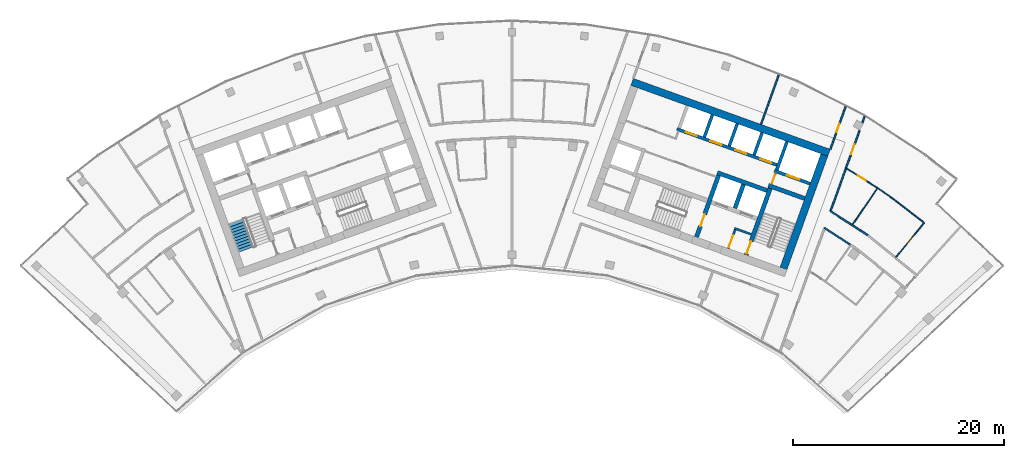
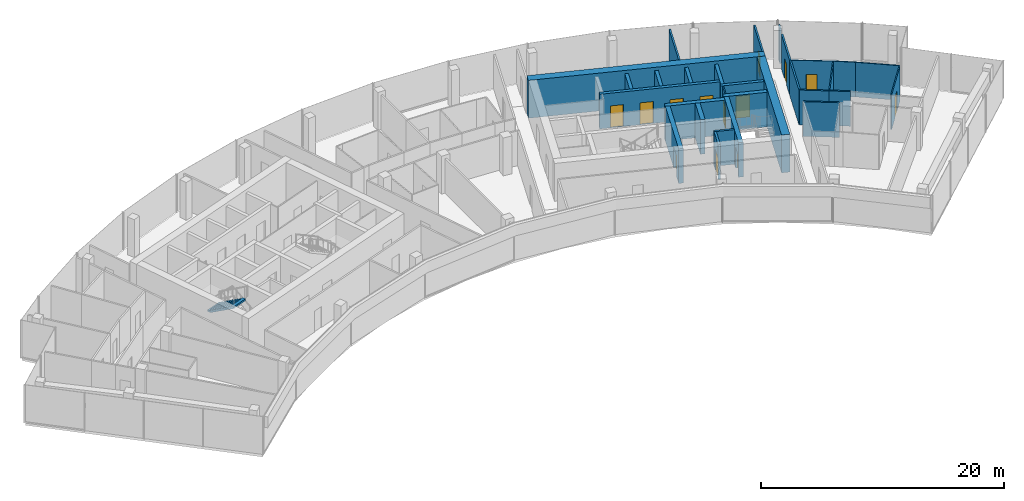
# One storey, part 16 of 18: 29 walls, 13 doors, 1 stair flight, 13 openings, 1 element without a shape of its own.
"""IFC4 building model written with IfcOpenShell, lengths in metres."""

from ifc_helpers import new_model, si_unit, direction, frame, frame_2d, origin, place, context, subcontext, project, spatial, polyline, rectangle, outline, extrude, material, layer, layer_set, type_object, element, fill, aggregate, save


model = new_model("IFC4")

# Units and contexts
model_context = context("Model", 3, precision=1e-05, world=origin(), true_north=direction((0.0, 1.0)))
body_context = subcontext(model_context, "Body", "Model", "MODEL_VIEW")
ifc_project = project(units=[si_unit("LENGTHUNIT", "METRE"), si_unit("AREAUNIT", "SQUARE_METRE"), si_unit("VOLUMEUNIT", "CUBIC_METRE"), si_unit("PLANEANGLEUNIT", "RADIAN"), si_unit("MASSUNIT", "GRAM", prefix="KILO")], contexts=[model_context])

# Site, building, storey
site_placement = place(None, origin())
site = spatial("IfcSite", under=ifc_project, at=site_placement, CompositionType="ELEMENT")
building_placement = place(site_placement, origin())
building = spatial("IfcBuilding", under=site, at=building_placement, Name="Stone Belt Terrace Tower", CompositionType="ELEMENT")
storey_placement = place(building_placement, frame((0.0, 0.0, 288.39990234375)))
storey = spatial("IfcBuildingStorey", under=building, at=storey_placement, Name="L70", CompositionType="ELEMENT", Elevation=288.39990234375)

# Wall, opening, door
ifc_material_1 = material(Name="Plasterboard partition")
ifc_layer_1 = layer(ifc_material_1, 0.10009765625)
ifc_layer_set_1 = layer_set([ifc_layer_1], Name="Core partition 100")
wall_type_1 = type_object("IfcWallType", Name="Core partition 100", PredefinedType="PARTITIONING", material=ifc_layer_set_1)
wall_1_placement = place(storey_placement, frame((24.555908203125, 51.10400390625, 0.0), z_axis=(0.0, 0.0, 1.0), x_axis=(0.338621735342, 0.94092258999, 0.0)))
wall_1 = element("IfcWall", 1, at=wall_1_placement, inside=storey, type_object=wall_type_1, Name="Core B wall", PredefinedType="PARTITIONING", context=body_context, shape_type="SweptSolid", body=[
    extrude(rectangle(XDim=1.14990234375, YDim=0.10009765625, at=frame_2d((0.574951171875, 0.0))), origin(), (0.0, 0.0, 1.0), 3.47998046875),
])
opening_1_placement = place(wall_1_placement, frame((0.050048828125, 0.0, 0.0)))
opening_1 = element("IfcOpeningElement", 2, at=opening_1_placement, cuts=wall_1, Name="Opening L70-C14", PredefinedType="OPENING", context=body_context, shape_type="SweptSolid", body=[
    extrude(rectangle(XDim=1.0, YDim=2.10009765625, at=frame_2d((0.5, 1.050048828125))), frame((0.0, 0.06005859375, 0.0), z_axis=(0.0, -1.0, 0.0), x_axis=(1.0, 0.0, 0.0)), (0.0, 0.0, 1.0), 0.1201171875),
])
ifc_material_2 = material(Name="Timber door leaf", Category="wood")
door_type_1 = type_object("IfcDoorType", Name="Core room door 1000", OperationType="SINGLE_SWING_LEFT", PredefinedType="DOOR", material=ifc_material_2)
door_1_placement = place(opening_1_placement, origin())
door_1 = element("IfcDoor", 3, at=door_1_placement, inside=storey, type_object=door_type_1, Name="Service lift lobby door core B", OperationType="SINGLE_SWING_LEFT", OverallHeight=2.10009765625, OverallWidth=1.0, PredefinedType="DOOR", context=body_context, shape_type="SweptSolid", body=[
    extrude(rectangle(XDim=1.0, YDim=2.10009765625, at=frame_2d((0.5, 1.050048828125))), frame((0.0, 0.02490234375, 0.0), z_axis=(0.0, -1.0, 0.0), x_axis=(1.0, 0.0, 0.0)), (0.0, 0.0, 1.0), 0.050048828125),
])
fill(opening_1, door_1)

# Walls
ifc_material_3 = material(Name="Concrete B60", Category="concrete")
ifc_layer_2 = layer(ifc_material_3, 0.699951171875)
ifc_layer_set_2 = layer_set([ifc_layer_2], Name="Core wall 700 B60")
wall_type_2 = type_object("IfcWallType", Name="Core wall 700 B60", PredefinedType="SHEAR", material=ifc_layer_set_2)
wall_2_placement = place(storey_placement, frame((11.35791015625, 60.795654296875, 0.0), z_axis=(0.0, 0.0, 1.0), x_axis=(0.940919787944, -0.33862952124, 0.0)))
element("IfcWall", 4, at=wall_2_placement, inside=storey, type_object=wall_type_2, Name="Core B wall convex L70", PredefinedType="SHEAR", context=body_context, shape_type="SweptSolid", body=[
    extrude(rectangle(XDim=19.7998046875, YDim=0.699951171875, at=frame_2d((9.89990234375, 0.0))), origin(), (0.0, 0.0, 1.0), 3.800048828125),
])
wall_3_placement = place(storey_placement, frame((25.679931640625, 43.153564453125, 0.0), z_axis=(0.0, 0.0, 1.0), x_axis=(0.338625431531, 0.940921259788, 0.0)))
element("IfcWall", 5, at=wall_3_placement, inside=storey, type_object=wall_type_2, Name="Core B wall end_b L70", PredefinedType="SHEAR", context=body_context, shape_type="SweptSolid", body=[
    extrude(rectangle(XDim=11.400146484375, YDim=0.699951171875, at=frame_2d((5.7001953125, 0.0))), origin(), (0.0, 0.0, 1.0), 3.800048828125),
])
ifc_material_4 = material(Name="Concrete B80", Category="concrete")
ifc_layer_3 = layer(ifc_material_4, 0.39990234375)
ifc_layer_set_3 = layer_set([ifc_layer_3], Name="Fire-fighting lift shaft wall 400")
wall_type_3 = type_object("IfcWallType", Name="Fire-fighting lift shaft wall 400", PredefinedType="SHEAR", material=ifc_layer_set_3)
wall_4_placement = place(storey_placement, frame((24.130615234375, 50.512939453125, 0.0), z_axis=(0.0, 0.0, 1.0), x_axis=(-0.94091168377, 0.338652038744, 0.0)))
element("IfcWall", 6, at=wall_4_placement, inside=storey, type_object=wall_type_3, Name="Core B wall", PredefinedType="SHEAR", context=body_context, shape_type="SweptSolid", body=[
    extrude(rectangle(XDim=5.000244140625, YDim=0.39990234375, at=frame_2d((2.5, 0.0))), origin(), (0.0, 0.0, 1.0), 3.47998046875),
])
wall_5_placement = place(storey_placement, frame((21.0859375, 48.845458984375, 0.0), z_axis=(0.0, 0.0, 1.0), x_axis=(0.338629416206, 0.940919825745, 0.0)))
element("IfcWall", 7, at=wall_5_placement, inside=storey, type_object=wall_type_3, Name="Core B wall", PredefinedType="SHEAR", context=body_context, shape_type="SweptSolid", body=[
    extrude(rectangle(XDim=2.400146484375, YDim=0.39990234375, at=frame_2d((1.2001953125, 0.0))), origin(), (0.0, 0.0, 1.0), 3.47998046875),
])

# Wall, opening, door
ifc_layer_4 = layer(ifc_material_4, 0.300048828125)
ifc_layer_set_4 = layer_set([ifc_layer_4], Name="Lift shaft wall 300")
wall_type_4 = type_object("IfcWallType", Name="Lift shaft wall 300", PredefinedType="SHEAR", material=ifc_layer_set_4)
wall_6_placement = place(storey_placement, frame((28.195068359375, 51.17578125, 0.0), z_axis=(0.0, 0.0, 1.0), x_axis=(-0.940901243567, 0.338681044427, 0.0)))
wall_6 = element("IfcWall", 8, at=wall_6_placement, inside=storey, type_object=wall_type_4, Name="Core B wall", PredefinedType="SHEAR", context=body_context, shape_type="SweptSolid", body=[
    extrude(rectangle(XDim=3.599853515625, YDim=0.300048828125, at=frame_2d((1.7998046875, 0.0))), origin(), (0.0, 0.0, 1.0), 3.47998046875),
])
opening_2_placement = place(wall_6_placement, frame((1.1201171875, 0.0, 0.0)))
opening_2 = element("IfcOpeningElement", 9, at=opening_2_placement, cuts=wall_6, Name="Opening L70-LD14", PredefinedType="OPENING", context=body_context, shape_type="SweptSolid", body=[
    extrude(rectangle(XDim=1.199951171875, YDim=2.199951171875, at=frame_2d((0.60009765625, 1.10009765625))), frame((0.0, 0.159912109375, 0.0), z_axis=(0.0, -1.0, 0.0), x_axis=(1.0, 0.0, 0.0)), (0.0, 0.0, 1.0), 0.320068359375),
])
ifc_material_5 = material(Name="Stainless steel door leaf", Category="steel")
door_type_2 = type_object("IfcDoorType", Name="Landing door 1200", OperationType="SLIDING_TO_LEFT", PredefinedType="DOOR", material=ifc_material_5)
door_2_placement = place(opening_2_placement, origin())
door_2 = element("IfcDoor", 10, at=door_2_placement, inside=storey, type_object=door_type_2, Name="Landing door SV1 core B", OperationType="SLIDING_TO_LEFT", OverallHeight=2.199951171875, OverallWidth=1.199951171875, PredefinedType="DOOR", context=body_context, shape_type="SweptSolid", body=[
    extrude(rectangle(XDim=1.199951171875, YDim=2.199951171875, at=frame_2d((0.60009765625, 1.10009765625))), frame((0.0, 0.02490234375, 0.0), z_axis=(0.0, -1.0, 0.0), x_axis=(1.0, 0.0, 0.0)), (0.0, 0.0, 1.0), 0.050048828125),
])
fill(opening_2, door_2)

# Wall
wall_7_placement = place(storey_placement, frame((25.046875, 52.46826171875, 0.0), z_axis=(0.0, 0.0, 1.0), x_axis=(0.338549588058, 0.940948551423, 0.0)))
element("IfcWall", 11, at=wall_7_placement, inside=storey, type_object=wall_type_4, Name="Core B wall", PredefinedType="SHEAR", context=body_context, shape_type="SweptSolid", body=[
    extrude(rectangle(XDim=2.849853515625, YDim=0.300048828125, at=frame_2d((1.4248046875, 0.0))), origin(), (0.0, 0.0, 1.0), 3.47998046875),
])

# Wall, openings, doors
wall_8_placement = place(storey_placement, frame((25.05810546875, 52.9423828125, 0.0), z_axis=(0.0, 0.0, 1.0), x_axis=(-0.940917446785, 0.338636026339, 0.0)))
wall_8 = element("IfcWall", 12, at=wall_8_placement, inside=storey, type_object=wall_type_4, Name="Core B wall", PredefinedType="SHEAR", context=body_context, shape_type="SweptSolid", body=[
    extrude(rectangle(XDim=10.050048828125, YDim=0.300048828125, at=frame_2d((5.02490234375, 0.0))), origin(), (0.0, 0.0, 1.0), 3.47998046875),
])
opening_3_placement = place(wall_8_placement, frame((0.570068359375, 0.0, 0.0)))
opening_3 = element("IfcOpeningElement", 13, at=opening_3_placement, cuts=wall_8, Name="Opening L70-LD08", PredefinedType="OPENING", context=body_context, shape_type="SweptSolid", body=[
    extrude(rectangle(XDim=1.10009765625, YDim=2.199951171875, at=frame_2d((0.550048828125, 1.10009765625))), frame((0.0, 0.159912109375, 0.0), z_axis=(0.0, -1.0, 0.0), x_axis=(1.0, 0.0, 0.0)), (0.0, 0.0, 1.0), 0.320068359375),
])
opening_4_placement = place(wall_8_placement, frame((3.070068359375, 0.0, 0.0)))
opening_4 = element("IfcOpeningElement", 14, at=opening_4_placement, cuts=wall_8, Name="Opening L70-LD09", PredefinedType="OPENING", context=body_context, shape_type="SweptSolid", body=[
    extrude(rectangle(XDim=1.10009765625, YDim=2.199951171875, at=frame_2d((0.550048828125, 1.10009765625))), frame((0.0, 0.159912109375, 0.0), z_axis=(0.0, -1.0, 0.0), x_axis=(1.0, 0.0, 0.0)), (0.0, 0.0, 1.0), 0.320068359375),
])
opening_5_placement = place(wall_8_placement, frame((5.570068359375, 0.0, 0.0)))
opening_5 = element("IfcOpeningElement", 15, at=opening_5_placement, cuts=wall_8, Name="Opening L70-LD10", PredefinedType="OPENING", context=body_context, shape_type="SweptSolid", body=[
    extrude(rectangle(XDim=1.10009765625, YDim=2.199951171875, at=frame_2d((0.550048828125, 1.10009765625))), frame((0.0, 0.159912109375, 0.0), z_axis=(0.0, -1.0, 0.0), x_axis=(1.0, 0.0, 0.0)), (0.0, 0.0, 1.0), 0.320068359375),
])
opening_6_placement = place(wall_8_placement, frame((8.070068359375, 0.0, 0.0)))
opening_6 = element("IfcOpeningElement", 16, at=opening_6_placement, cuts=wall_8, Name="Opening L70-LD11", PredefinedType="OPENING", context=body_context, shape_type="SweptSolid", body=[
    extrude(rectangle(XDim=1.10009765625, YDim=2.199951171875, at=frame_2d((0.550048828125, 1.10009765625))), frame((0.0, 0.159912109375, 0.0), z_axis=(0.0, -1.0, 0.0), x_axis=(1.0, 0.0, 0.0)), (0.0, 0.0, 1.0), 0.320068359375),
])
door_type_3 = type_object("IfcDoorType", Name="Landing door 1100", OperationType="SLIDING_TO_LEFT", PredefinedType="DOOR", material=ifc_material_5)
door_3_placement = place(opening_3_placement, origin())
door_3 = element("IfcDoor", 17, at=door_3_placement, inside=storey, type_object=door_type_3, Name="Landing door HR1 core B", OperationType="SLIDING_TO_LEFT", OverallHeight=2.199951171875, OverallWidth=1.10009765625, PredefinedType="DOOR", context=body_context, shape_type="SweptSolid", body=[
    extrude(rectangle(XDim=1.10009765625, YDim=2.199951171875, at=frame_2d((0.550048828125, 1.10009765625))), frame((0.0, 0.02490234375, 0.0), z_axis=(0.0, -1.0, 0.0), x_axis=(1.0, 0.0, 0.0)), (0.0, 0.0, 1.0), 0.050048828125),
])
fill(opening_3, door_3)
door_4_placement = place(opening_4_placement, origin())
door_4 = element("IfcDoor", 18, at=door_4_placement, inside=storey, type_object=door_type_3, Name="Landing door HR2 core B", OperationType="SLIDING_TO_LEFT", OverallHeight=2.199951171875, OverallWidth=1.10009765625, PredefinedType="DOOR", context=body_context, shape_type="SweptSolid", body=[
    extrude(rectangle(XDim=1.10009765625, YDim=2.199951171875, at=frame_2d((0.550048828125, 1.10009765625))), frame((0.0, 0.02490234375, 0.0), z_axis=(0.0, -1.0, 0.0), x_axis=(1.0, 0.0, 0.0)), (0.0, 0.0, 1.0), 0.050048828125),
])
fill(opening_4, door_4)
door_5_placement = place(opening_5_placement, origin())
door_5 = element("IfcDoor", 19, at=door_5_placement, inside=storey, type_object=door_type_3, Name="Landing door HR3 core B", OperationType="SLIDING_TO_LEFT", OverallHeight=2.199951171875, OverallWidth=1.10009765625, PredefinedType="DOOR", context=body_context, shape_type="SweptSolid", body=[
    extrude(rectangle(XDim=1.10009765625, YDim=2.199951171875, at=frame_2d((0.550048828125, 1.10009765625))), frame((0.0, 0.02490234375, 0.0), z_axis=(0.0, -1.0, 0.0), x_axis=(1.0, 0.0, 0.0)), (0.0, 0.0, 1.0), 0.050048828125),
])
fill(opening_5, door_5)
door_6_placement = place(opening_6_placement, origin())
door_6 = element("IfcDoor", 20, at=door_6_placement, inside=storey, type_object=door_type_3, Name="Landing door HR4 core B", OperationType="SLIDING_TO_LEFT", OverallHeight=2.199951171875, OverallWidth=1.10009765625, PredefinedType="DOOR", context=body_context, shape_type="SweptSolid", body=[
    extrude(rectangle(XDim=1.10009765625, YDim=2.199951171875, at=frame_2d((0.550048828125, 1.10009765625))), frame((0.0, 0.02490234375, 0.0), z_axis=(0.0, -1.0, 0.0), x_axis=(1.0, 0.0, 0.0)), (0.0, 0.0, 1.0), 0.050048828125),
])
fill(opening_6, door_6)

# Walls
wall_9_placement = place(storey_placement, frame((22.897705078125, 53.87939453125, 0.0), z_axis=(0.0, 0.0, 1.0), x_axis=(0.338535034312, 0.940953787677, 0.0)))
element("IfcWall", 21, at=wall_9_placement, inside=storey, type_object=wall_type_4, Name="Core B wall", PredefinedType="SHEAR", context=body_context, shape_type="SweptSolid", body=[
    extrude(rectangle(XDim=2.25, YDim=0.300048828125, at=frame_2d((1.125, 0.0))), origin(), (0.0, 0.0, 1.0), 3.47998046875),
])
wall_10_placement = place(storey_placement, frame((20.54541015625, 54.72607421875, 0.0), z_axis=(0.0, 0.0, 1.0), x_axis=(0.338569601369, 0.940941350472, 0.0)))
element("IfcWall", 22, at=wall_10_placement, inside=storey, type_object=wall_type_4, Name="Core B wall", PredefinedType="SHEAR", context=body_context, shape_type="SweptSolid", body=[
    extrude(rectangle(XDim=2.249755859375, YDim=0.300048828125, at=frame_2d((1.125, 0.0))), origin(), (0.0, 0.0, 1.0), 3.47998046875),
])
wall_11_placement = place(storey_placement, frame((18.193115234375, 55.572509765625, 0.0), z_axis=(0.0, 0.0, 1.0), x_axis=(0.338535034312, 0.940953787677, 0.0)))
element("IfcWall", 23, at=wall_11_placement, inside=storey, type_object=wall_type_4, Name="Core B wall", PredefinedType="SHEAR", context=body_context, shape_type="SweptSolid", body=[
    extrude(rectangle(XDim=2.25, YDim=0.300048828125, at=frame_2d((1.125, 0.0))), origin(), (0.0, 0.0, 1.0), 3.47998046875),
])

# Wall, opening, door
ifc_material_6 = material(Name="Gypsum board partition")
ifc_layer_5 = layer(ifc_material_6, 0.10009765625)
ifc_layer_set_5 = layer_set([ifc_layer_5], Name="PARTITION 100")
wall_type_5 = type_object("IfcWallType", Name="PARTITION 100", PredefinedType="PARTITIONING", material=ifc_layer_set_5)
wall_12_placement = place(storey_placement, frame((34.574951171875, 50.76611328125, 0.0), z_axis=(0.0, 0.0, 1.0), x_axis=(-0.846867491555, 0.531803959883, 0.0)))
wall_12 = element("IfcWall", 24, at=wall_12_placement, inside=storey, type_object=wall_type_5, Name="L70/wall/i074", PredefinedType="PARTITIONING", context=body_context, shape_type="SweptSolid", body=[
    extrude(rectangle(XDim=3.5234375, YDim=0.10009765625, at=frame_2d((1.76171875, 0.0))), origin(), (0.0, 0.0, 1.0), 3.47998046875),
])
opening_7_placement = place(wall_12_placement, frame((1.311767578125, 0.0, 0.0)))
opening_7 = element("IfcOpeningElement", 25, at=opening_7_placement, cuts=wall_12, Name="Opening D-E3-22", PredefinedType="OPENING", context=body_context, shape_type="SweptSolid", body=[
    extrude(rectangle(XDim=0.89990234375, YDim=2.10009765625, at=frame_2d((0.449951171875, 1.050048828125))), frame((0.0, 0.06005859375, 0.0), z_axis=(0.0, -1.0, 0.0), x_axis=(1.0, 0.0, 0.0)), (0.0, 0.0, 1.0), 0.1201171875),
])
door_type_4 = type_object("IfcDoorType", Name="OFFICE DOOR 900 X 2100", OperationType="NOTDEFINED", PredefinedType="DOOR", material=ifc_material_2)
door_7_placement = place(opening_7_placement, origin())
door_7 = element("IfcDoor", 26, at=door_7_placement, inside=storey, type_object=door_type_4, Name="L70/door/i22", OperationType="SINGLE_SWING_RIGHT", OverallHeight=2.10009765625, OverallWidth=0.89990234375, PredefinedType="DOOR", context=body_context, shape_type="SweptSolid", body=[
    extrude(rectangle(XDim=0.89990234375, YDim=2.10009765625, at=frame_2d((0.449951171875, 1.050048828125))), frame((0.0, 0.02490234375, 0.0), z_axis=(0.0, -1.0, 0.0), x_axis=(1.0, 0.0, 0.0)), (0.0, 0.0, 1.0), 0.050048828125),
])
fill(opening_7, door_7)

wall_13_placement = place(storey_placement, frame((36.27099609375, 44.162109375, 0.0), z_axis=(0.0, 0.0, 1.0), x_axis=(0.634701662566, 0.772757270775, 0.0)))
wall_13 = element("IfcWall", 27, at=wall_13_placement, inside=storey, type_object=wall_type_5, Name="L70/wall/i075", PredefinedType="PARTITIONING", context=body_context, shape_type="SweptSolid", body=[
    extrude(rectangle(XDim=4.274169921875, YDim=0.10009765625, at=frame_2d((2.13720703125, 0.0))), origin(), (0.0, 0.0, 1.0), 3.47998046875),
])
opening_8_placement = place(wall_13_placement, frame((1.687255859375, 0.0, 0.0)))
opening_8 = element("IfcOpeningElement", 28, at=opening_8_placement, cuts=wall_13, Name="Opening D-E3-23", PredefinedType="OPENING", context=body_context, shape_type="SweptSolid", body=[
    extrude(rectangle(XDim=0.89990234375, YDim=2.10009765625, at=frame_2d((0.449951171875, 1.050048828125))), frame((0.0, 0.06005859375, 0.0), z_axis=(0.0, -1.0, 0.0), x_axis=(1.0, 0.0, 0.0)), (0.0, 0.0, 1.0), 0.1201171875),
])
door_8_placement = place(opening_8_placement, origin())
door_8 = element("IfcDoor", 29, at=door_8_placement, inside=storey, type_object=door_type_4, Name="L70/door/i23", OperationType="SINGLE_SWING_RIGHT", OverallHeight=2.10009765625, OverallWidth=0.89990234375, PredefinedType="DOOR", context=body_context, shape_type="SweptSolid", body=[
    extrude(rectangle(XDim=0.89990234375, YDim=2.10009765625, at=frame_2d((0.449951171875, 1.050048828125))), frame((0.0, 0.02490234375, 0.0), z_axis=(0.0, -1.0, 0.0), x_axis=(1.0, 0.0, 0.0)), (0.0, 0.0, 1.0), 0.050048828125),
])
fill(opening_8, door_8)

# Walls
wall_14_placement = place(storey_placement, frame((38.98388671875, 47.465087890625, 0.0), z_axis=(0.0, 0.0, 1.0), x_axis=(-0.791323345366, 0.611397876246, 0.0)))
element("IfcWall", 30, at=wall_14_placement, inside=storey, type_object=wall_type_5, Name="L70/wall/i076", PredefinedType="PARTITIONING", context=body_context, shape_type="SweptSolid", body=[
    extrude(rectangle(XDim=3.640625, YDim=0.10009765625, at=frame_2d((1.8203125, 0.0))), origin(), (0.0, 0.0, 1.0), 3.47998046875),
])
wall_15_placement = place(storey_placement, frame((36.10302734375, 49.69091796875, 0.0), z_axis=(0.0, 0.0, 1.0), x_axis=(-0.817836027764, 0.57545132869, 0.0)))
element("IfcWall", 31, at=wall_15_placement, inside=storey, type_object=wall_type_5, Name="L70/wall/i077", PredefinedType="PARTITIONING", context=body_context, shape_type="SweptSolid", body=[
    extrude(rectangle(XDim=1.868408203125, YDim=0.10009765625, at=frame_2d((0.93408203125, 0.0))), origin(), (0.0, 0.0, 1.0), 3.47998046875),
])
wall_16_placement = place(storey_placement, frame((34.574951171875, 50.76611328125, 0.0), z_axis=(0.0, 0.0, 1.0), x_axis=(-0.56276598826, -0.826616260703, 0.0)))
element("IfcWall", 32, at=wall_16_placement, inside=storey, type_object=wall_type_5, Name="L70/wall/i078", PredefinedType="PARTITIONING", context=body_context, shape_type="SweptSolid", body=[
    extrude(rectangle(XDim=4.260986328125, YDim=0.10009765625, at=frame_2d((2.13037109375, 0.0))), origin(), (0.0, 0.0, 1.0), 3.47998046875),
])

# Wall, opening, door
ifc_layer_6 = layer(ifc_material_6, 0.14990234375)
ifc_layer_set_6 = layer_set([ifc_layer_6], Name="PARTITION 150 EI 60")
wall_type_6 = type_object("IfcWallType", Name="PARTITION 150 EI 60", PredefinedType="PARTITIONING", material=ifc_layer_set_6)
wall_17_placement = place(storey_placement, frame((30.10595703125, 54.419921875, 0.0), z_axis=(0.0, 0.0, 1.0), x_axis=(0.338580264222, 0.940937513695, 0.0)))
wall_17 = element("IfcWall", 33, at=wall_17_placement, inside=storey, type_object=wall_type_6, Name="L70/wall/i022", PredefinedType="PARTITIONING", context=body_context, shape_type="SweptSolid", body=[
    extrude(rectangle(XDim=4.285400390625, YDim=0.14990234375, at=frame_2d((2.142578125, 0.0))), origin(), (0.0, 0.0, 1.0), 3.47998046875),
])
opening_9_placement = place(wall_17_placement, frame((1.74267578125, 0.0, 0.0)))
opening_9 = element("IfcOpeningElement", 34, at=opening_9_placement, cuts=wall_17, Name="Opening D-E3-08", PredefinedType="OPENING", context=body_context, shape_type="SweptSolid", body=[
    extrude(rectangle(XDim=0.800048828125, YDim=2.10009765625, at=frame_2d((0.39990234375, 1.050048828125))), frame((0.0, 0.0849609375, 0.0), z_axis=(0.0, -1.0, 0.0), x_axis=(1.0, 0.0, 0.0)), (0.0, 0.0, 1.0), 0.169921875),
])
door_type_5 = type_object("IfcDoorType", Name="STORE DOOR 800 X 2100", OperationType="NOTDEFINED", PredefinedType="DOOR", material=ifc_material_2)
door_9_placement = place(opening_9_placement, origin())
door_9 = element("IfcDoor", 35, at=door_9_placement, inside=storey, type_object=door_type_5, Name="L70/door/i08", OperationType="SINGLE_SWING_RIGHT", OverallHeight=2.10009765625, OverallWidth=0.800048828125, PredefinedType="DOOR", context=body_context, shape_type="SweptSolid", body=[
    extrude(rectangle(XDim=0.800048828125, YDim=2.10009765625, at=frame_2d((0.39990234375, 1.050048828125))), frame((0.0, 0.02490234375, 0.0), z_axis=(0.0, -1.0, 0.0), x_axis=(1.0, 0.0, 0.0)), (0.0, 0.0, 1.0), 0.050048828125),
])
fill(opening_9, door_9)

# Wall
wall_18_placement = place(storey_placement, frame((33.348876953125, 57.523193359375, 0.0), z_axis=(0.0, 0.0, 1.0), x_axis=(-0.338733145318, -0.94088248802, 0.0)))
element("IfcWall", 36, at=wall_18_placement, inside=storey, type_object=wall_type_6, Name="L70/wall/i026", PredefinedType="PARTITIONING", context=body_context, shape_type="SweptSolid", body=[
    extrude(rectangle(XDim=0.632080078125, YDim=0.14990234375, at=frame_2d((0.31591796875, 0.0))), origin(), (0.0, 0.0, 1.0), 3.47998046875),
])

# Wall, opening, door
wall_19_placement = place(storey_placement, frame((32.875244140625, 56.20703125, 0.0), z_axis=(0.0, 0.0, 1.0), x_axis=(-0.338685319114, -0.940899704866, 0.0)))
wall_19 = element("IfcWall", 37, at=wall_19_placement, inside=storey, type_object=wall_type_6, Name="L70/wall/i027", PredefinedType="PARTITIONING", context=body_context, shape_type="SweptSolid", body=[
    extrude(rectangle(XDim=3.79736328125, YDim=0.14990234375, at=frame_2d((1.898681640625, 0.0))), origin(), (0.0, 0.0, 1.0), 3.47998046875),
])
opening_10_placement = place(wall_19_placement, frame((1.398681640625, 0.0, 0.0)))
opening_10 = element("IfcOpeningElement", 38, at=opening_10_placement, cuts=wall_19, Name="Opening D-E3-21", PredefinedType="OPENING", context=body_context, shape_type="SweptSolid", body=[
    extrude(rectangle(XDim=1.0, YDim=2.10009765625, at=frame_2d((0.5, 1.050048828125))), frame((0.0, 0.0849609375, 0.0), z_axis=(0.0, -1.0, 0.0), x_axis=(1.0, 0.0, 0.0)), (0.0, 0.0, 1.0), 0.169921875),
])
ifc_material_7 = material(Name="Timber fire door leaf", Category="wood")
door_type_6 = type_object("IfcDoorType", Name="TENANCY ENTRANCE DOOR 1000 X 2100", OperationType="NOTDEFINED", PredefinedType="DOOR", material=ifc_material_7)
door_10_placement = place(opening_10_placement, origin())
door_10 = element("IfcDoor", 39, at=door_10_placement, inside=storey, type_object=door_type_6, Name="L70/door/i21", OperationType="SINGLE_SWING_RIGHT", OverallHeight=2.10009765625, OverallWidth=1.0, PredefinedType="DOOR", context=body_context, shape_type="SweptSolid", body=[
    extrude(rectangle(XDim=1.0, YDim=2.10009765625, at=frame_2d((0.5, 1.050048828125))), frame((0.0, 0.02490234375, 0.0), z_axis=(0.0, -1.0, 0.0), x_axis=(1.0, 0.0, 0.0)), (0.0, 0.0, 1.0), 0.050048828125),
])
fill(opening_10, door_10)

# Walls
wall_20_placement = place(storey_placement, frame((31.593017578125, 52.64599609375, 0.0), z_axis=(0.0, 0.0, 1.0), x_axis=(-0.338515984697, -0.940960641103, 0.0)))
element("IfcWall", 40, at=wall_20_placement, inside=storey, type_object=wall_type_6, Name="L70/wall/i028", PredefinedType="PARTITIONING", context=body_context, shape_type="SweptSolid", body=[
    extrude(rectangle(XDim=4.333740234375, YDim=0.14990234375, at=frame_2d((2.1669921875, 0.0))), origin(), (0.0, 0.0, 1.0), 3.47998046875),
])
wall_21_placement = place(storey_placement, frame((25.227783203125, 61.448974609375, 0.0), z_axis=(0.0, 0.0, 1.0), x_axis=(-0.338580053175, -0.940937589637, 0.0)))
element("IfcWall", 41, at=wall_21_placement, inside=storey, type_object=wall_type_6, Name="L70/wall/i033", PredefinedType="PARTITIONING", context=body_context, shape_type="SweptSolid", body=[
    extrude(rectangle(XDim=4.9609375, YDim=0.14990234375, at=frame_2d((2.48046875, 0.0))), origin(), (0.0, 0.0, 1.0), 3.47998046875),
])
wall_22_placement = place(storey_placement, frame((32.056884765625, 45.35693359375, 0.0), z_axis=(0.0, 0.0, 1.0), x_axis=(-0.838787531039, 0.544458885292, 0.0)))
element("IfcWall", 42, at=wall_22_placement, inside=storey, type_object=wall_type_6, Name="L70/wall/i062", PredefinedType="PARTITIONING", context=body_context, shape_type="SweptSolid", body=[
    extrude(rectangle(XDim=2.98291015625, YDim=0.14990234375, at=frame_2d((1.491455078125, 0.0))), origin(), (0.0, 0.0, 1.0), 3.47998046875),
])
wall_23_placement = place(storey_placement, frame((30.1279296875, 48.573974609375, 0.0), z_axis=(0.0, 0.0, 1.0), x_axis=(0.838828388749, -0.544395935168, 0.0)))
element("IfcWall", 43, at=wall_23_placement, inside=storey, type_object=wall_type_6, Name="L70/wall/i066", PredefinedType="PARTITIONING", context=body_context, shape_type="SweptSolid", body=[
    extrude(rectangle(XDim=2.448486328125, YDim=0.14990234375, at=frame_2d((1.22412109375, 0.0))), origin(), (0.0, 0.0, 1.0), 3.47998046875),
])
wall_24_placement = place(storey_placement, frame((32.172119140625, 47.2470703125, 0.0), z_axis=(0.0, 0.0, 1.0), x_axis=(0.838533068875, -0.544850706527, 0.0)))
element("IfcWall", 44, at=wall_24_placement, inside=storey, type_object=wall_type_6, Name="L70/wall/i067", PredefinedType="PARTITIONING", context=body_context, shape_type="SweptSolid", body=[
    extrude(rectangle(XDim=1.745849609375, YDim=0.14990234375, at=frame_2d((0.873046875, 0.0))), origin(), (0.0, 0.0, 1.0), 3.47998046875),
])
ifc_material_8 = material(Name="Concrete masonry block", Category="masonry")
ifc_layer_7 = layer(ifc_material_8, 0.199951171875)
ifc_layer_set_7 = layer_set([ifc_layer_7], Name="Rated lobby wall 200")
wall_type_7 = type_object("IfcWallType", Name="Rated lobby wall 200", PredefinedType="PARTITIONING", material=ifc_layer_set_7)
wall_25_placement = place(storey_placement, frame((22.640625, 46.373046875, 0.0), z_axis=(0.0, 0.0, 1.0), x_axis=(-0.940966110313, 0.338500781747, 0.0)))
element("IfcWall", 45, at=wall_25_placement, inside=storey, type_object=wall_type_7, Name="Core B wall", PredefinedType="PARTITIONING", context=body_context, shape_type="SweptSolid", body=[
    extrude(rectangle(XDim=1.699951171875, YDim=0.199951171875, at=frame_2d((0.85009765625, 0.0))), origin(), (0.0, 0.0, 1.0), 3.47998046875),
])

# Wall, opening, door
wall_26_placement = place(storey_placement, frame((20.4580078125, 45.032958984375, 0.0), z_axis=(0.0, 0.0, 1.0), x_axis=(0.338573865316, 0.940939816208, 0.0)))
wall_26 = element("IfcWall", 46, at=wall_26_placement, inside=storey, type_object=wall_type_7, Name="Core B wall", PredefinedType="PARTITIONING", context=body_context, shape_type="SweptSolid", body=[
    extrude(rectangle(XDim=1.900146484375, YDim=0.199951171875, at=frame_2d((0.9501953125, 0.0))), origin(), (0.0, 0.0, 1.0), 3.47998046875),
])
opening_11_placement = place(wall_26_placement, frame((0.14990234375, 0.0, 0.0)))
opening_11 = element("IfcOpeningElement", 47, at=opening_11_placement, cuts=wall_26, Name="Opening L70-C17", PredefinedType="OPENING", context=body_context, shape_type="SweptSolid", body=[
    extrude(rectangle(XDim=1.199951171875, YDim=2.10009765625, at=frame_2d((0.60009765625, 1.050048828125))), frame((0.0, 0.10986328125, 0.0), z_axis=(0.0, -1.0, 0.0), x_axis=(1.0, 0.0, 0.0)), (0.0, 0.0, 1.0), 0.219970703125),
])
ifc_material_9 = material(Name="Steel door leaf", Category="steel")
door_type_7 = type_object("IfcDoorType", Name="Stair door 1200", OperationType="SINGLE_SWING_LEFT", PredefinedType="DOOR", material=ifc_material_9)
door_11_placement = place(opening_11_placement, origin())
door_11 = element("IfcDoor", 48, at=door_11_placement, inside=storey, type_object=door_type_7, Name="Stair airlock door core B", OperationType="SINGLE_SWING_LEFT", OverallHeight=2.10009765625, OverallWidth=1.199951171875, PredefinedType="DOOR", context=body_context, shape_type="SweptSolid", body=[
    extrude(rectangle(XDim=1.199951171875, YDim=2.10009765625, at=frame_2d((0.60009765625, 1.050048828125))), frame((0.0, 0.02490234375, 0.0), z_axis=(0.0, -1.0, 0.0), x_axis=(1.0, 0.0, 0.0)), (0.0, 0.0, 1.0), 0.050048828125),
])
fill(opening_11, door_11)

# Wall
ifc_layer_8 = layer(ifc_material_4, 0.39990234375)
ifc_layer_set_8 = layer_set([ifc_layer_8], Name="Stair enclosure wall 400")
wall_type_8 = type_object("IfcWallType", Name="Stair enclosure wall 400", PredefinedType="SHEAR", material=ifc_layer_set_8)
wall_27_placement = place(storey_placement, frame((27.687255859375, 49.764404296875, 0.0), z_axis=(0.0, 0.0, 1.0), x_axis=(-0.940918954884, 0.338631835981, 0.0)))
element("IfcWall", 49, at=wall_27_placement, inside=storey, type_object=wall_type_8, Name="Core B wall", PredefinedType="SHEAR", context=body_context, shape_type="SweptSolid", body=[
    extrude(rectangle(XDim=3.650146484375, YDim=0.39990234375, at=frame_2d((1.8251953125, 0.0))), origin(), (0.0, 0.0, 1.0), 3.47998046875),
])

# Wall, opening, door
wall_28_placement = place(storey_placement, frame((22.151611328125, 44.42333984375, 0.0), z_axis=(0.0, 0.0, 1.0), x_axis=(0.338625272931, 0.940921316866, 0.0)))
wall_28 = element("IfcWall", 50, at=wall_28_placement, inside=storey, type_object=wall_type_8, Name="Core B wall", PredefinedType="SHEAR", context=body_context, shape_type="SweptSolid", body=[
    extrude(rectangle(XDim=6.699951171875, YDim=0.39990234375, at=frame_2d((3.35009765625, 0.0))), origin(), (0.0, 0.0, 1.0), 3.47998046875),
])
opening_12_placement = place(wall_28_placement, frame((0.14990234375, 0.0, 0.0)))
opening_12 = element("IfcOpeningElement", 51, at=opening_12_placement, cuts=wall_28, Name="Opening L70-C16", PredefinedType="OPENING", context=body_context, shape_type="SweptSolid", body=[
    extrude(rectangle(XDim=1.199951171875, YDim=2.10009765625, at=frame_2d((0.60009765625, 1.050048828125))), frame((0.0, 0.2099609375, 0.0), z_axis=(0.0, -1.0, 0.0), x_axis=(1.0, 0.0, 0.0)), (0.0, 0.0, 1.0), 0.419921875),
])
door_12_placement = place(opening_12_placement, origin())
door_12 = element("IfcDoor", 52, at=door_12_placement, inside=storey, type_object=door_type_7, Name="Stair 1 door core B", OperationType="SINGLE_SWING_LEFT", OverallHeight=2.10009765625, OverallWidth=1.199951171875, PredefinedType="DOOR", context=body_context, shape_type="SweptSolid", body=[
    extrude(rectangle(XDim=1.199951171875, YDim=2.10009765625, at=frame_2d((0.60009765625, 1.050048828125))), frame((0.0, 0.02490234375, 0.0), z_axis=(0.0, -1.0, 0.0), x_axis=(1.0, 0.0, 0.0)), (0.0, 0.0, 1.0), 0.050048828125),
])
fill(opening_12, door_12)

wall_29_placement = place(storey_placement, frame((17.447021484375, 46.116455078125, 0.0), z_axis=(0.0, 0.0, 1.0), x_axis=(0.33860791464, 0.940927563707, 0.0)))
wall_29 = element("IfcWall", 53, at=wall_29_placement, inside=storey, type_object=wall_type_8, Name="Core B wall", PredefinedType="SHEAR", context=body_context, shape_type="SweptSolid", body=[
    extrude(rectangle(XDim=6.199951171875, YDim=0.39990234375, at=frame_2d((3.10009765625, 0.0))), origin(), (0.0, 0.0, 1.0), 3.47998046875),
])
opening_13_placement = place(wall_29_placement, frame((1.10009765625, 0.0, 0.0)))
opening_13 = element("IfcOpeningElement", 54, at=opening_13_placement, cuts=wall_29, Name="Opening L70-C19", PredefinedType="OPENING", context=body_context, shape_type="SweptSolid", body=[
    extrude(rectangle(XDim=1.199951171875, YDim=2.10009765625, at=frame_2d((0.60009765625, 1.050048828125))), frame((0.0, 0.2099609375, 0.0), z_axis=(0.0, -1.0, 0.0), x_axis=(1.0, 0.0, 0.0)), (0.0, 0.0, 1.0), 0.419921875),
])
door_13_placement = place(opening_13_placement, origin())
door_13 = element("IfcDoor", 55, at=door_13_placement, inside=storey, type_object=door_type_7, Name="Stair 2 door core B", OperationType="SINGLE_SWING_LEFT", OverallHeight=2.10009765625, OverallWidth=1.199951171875, PredefinedType="DOOR", context=body_context, shape_type="SweptSolid", body=[
    extrude(rectangle(XDim=1.199951171875, YDim=2.10009765625, at=frame_2d((0.60009765625, 1.050048828125))), frame((0.0, 0.02490234375, 0.0), z_axis=(0.0, -1.0, 0.0), x_axis=(1.0, 0.0, 0.0)), (0.0, 0.0, 1.0), 0.050048828125),
])
fill(opening_13, door_13)

# Stair, stair flight
ifc_material_10 = material(Name="Concrete B40", Category="concrete")
stair_type = type_object("IfcStairType", Name="Exit stair 1500", PredefinedType="HALF_TURN_STAIR", material=ifc_material_10)
stair_placement = place(storey_placement, origin())
stair = element("IfcStair", 56, at=stair_placement, inside=storey, type_object=stair_type, Name="L70 Exit stair 1 core A", PredefinedType="HALF_TURN_STAIR")
stair_flight_type = type_object("IfcStairFlightType", Name="Stair flight 1500", PredefinedType="STRAIGHT", material=ifc_material_10)
stair_flight_placement = place(storey_placement, frame((-26.10107421875, 47.572021484375, 1.900146484375), z_axis=(0.0, 0.0, 1.0), x_axis=(0.338624396177, -0.940921632398, 0.0)))
stair_flight = element("IfcStairFlight", 57, at=stair_flight_placement, type_object=stair_flight_type, Name="ST1A flight 2", NumberOfRisers=11, NumberOfTreads=10, PredefinedType="STRAIGHT", RiserHeight=0.172727273, TreadLength=0.28, context=body_context, shape_type="SweptSolid", body=[
    extrude(outline(polyline([(0.0, 0.0), (0.0, 0.172607421875), (0.280029296875, 0.172607421875), (0.280029296875, 0.345458984375), (0.56005859375, 0.345458984375), (0.56005859375, 0.51806640625), (0.840087890625, 0.51806640625), (0.840087890625, 0.69091796875), (1.1201171875, 0.69091796875), (1.1201171875, 0.863525390625), (1.39990234375, 0.863525390625), (1.39990234375, 1.036376953125), (1.679931640625, 1.036376953125), (1.679931640625, 1.208984375), (1.9599609375, 1.208984375), (1.9599609375, 1.3818359375), (2.239990234375, 1.3818359375), (2.239990234375, 1.554443359375), (2.52001953125, 1.554443359375), (2.52001953125, 1.727294921875), (2.800048828125, 1.727294921875), (2.800048828125, 1.89990234375), (2.800048828125, 1.551025390625), (0.285400390625, 0.0), (0.0, 0.0)])), frame((0.0, 0.75, 0.0), z_axis=(0.0, -1.0, 0.0), x_axis=(1.0, 0.0, 0.0)), (0.0, 0.0, 1.0), 1.5),
])
aggregate(stair, [stair_flight])

save(model, "model.ifc")
